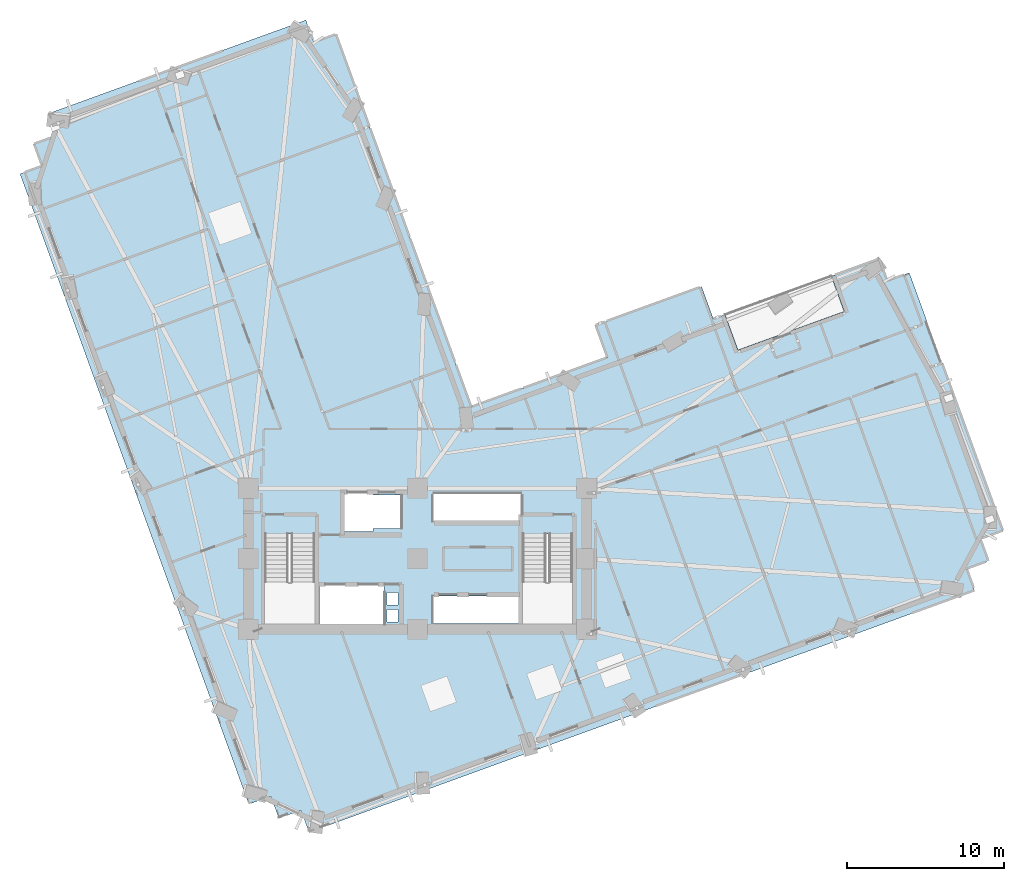
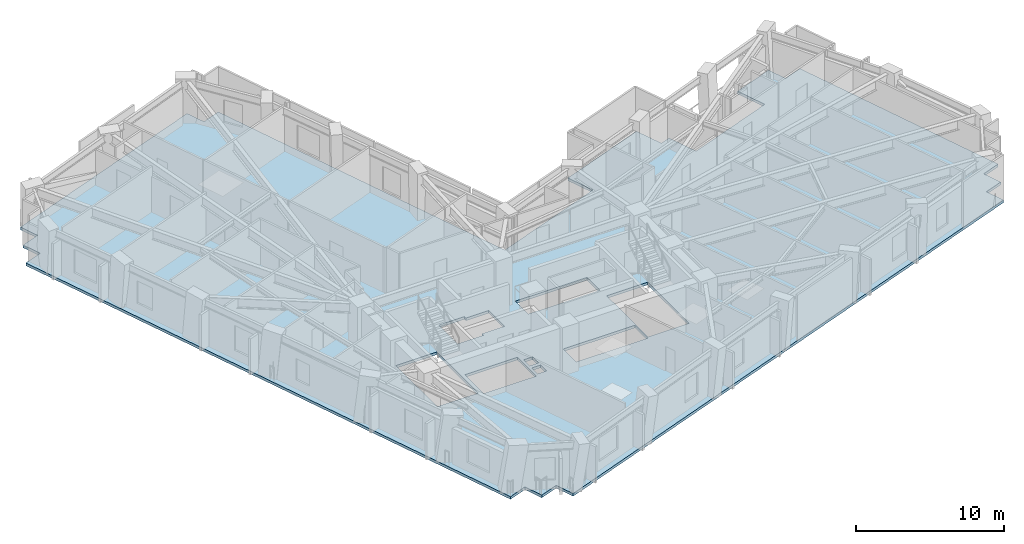
# One storey, part 4 of 17: 1 slab.
"""IFC4 building model written with IfcOpenShell, lengths in metres."""

import ifcopenshell
import ifcopenshell.guid

model = None  # the IFC model being written
_history = None  # IfcOwnerHistory: only IFC2X3 demands one
_inside = {}  # id of a spatial element -> (the spatial element, [elements in it])
_under = {}  # id of a project, library or spatial element -> (it, [spatial elements below it])
_declared = {}  # id of a project -> (the project, [libraries it declares])
_typed = {}  # id of a type object -> (the type object, [elements of that type])
_made_of = {}  # id of a material, layer set ... -> (it, [elements and type objects made of it])


def new_model(schema):
    """Start an empty IFC model of exactly this schema.

    Asked for "IFC4X3", IfcOpenShell would pick the latest addendum, in which some entities
    have other attributes; the version numbers below select the first issue.
    IFC2X3 requires an IfcOwnerHistory on every rooted entity: one is made here for all.
    """
    global model, _history
    if schema == "IFC4X3":
        model = ifcopenshell.file(schema_version=(4, 3, 0, 0))
    else:
        model = ifcopenshell.file(schema=schema)
    _inside.clear()
    _under.clear()
    _declared.clear()
    _typed.clear()
    _made_of.clear()
    _history = None
    if model.schema == "IFC2X3":
        org = make("IfcOrganization", Name="unknown")
        user = make(
            "IfcPersonAndOrganization",
            ThePerson=make("IfcPerson", FamilyName="unknown"),
            TheOrganization=org,
        )
        app = make(
            "IfcApplication",
            ApplicationDeveloper=org,
            Version="unknown",
            ApplicationFullName="unknown",
            ApplicationIdentifier="unknown",
        )
        _history = make(
            "IfcOwnerHistory",
            OwningUser=user,
            OwningApplication=app,
            ChangeAction="ADDED",
            CreationDate=0,
        )
    return model


def make(cls, **values):
    """One entity of the class cls with the attributes given. An attribute that is None is left unset."""
    return model.create_entity(
        cls, **{name: value for name, value in values.items() if value is not None}
    )


def rooted(cls, **values):
    """An entity with a GlobalId (a new one), such as an element, a storey or a relation."""
    return make(cls, GlobalId=ifcopenshell.guid.new(), OwnerHistory=_history, **values)


def si_unit(unit_type, name, prefix=None):
    """IfcSIUnit, for example si_unit("LENGTHUNIT", "METRE", prefix="MILLI")."""
    return make("IfcSIUnit", UnitType=unit_type, Prefix=prefix, Name=name)


def assignment(units):
    """IfcUnitAssignment: the units of a project."""
    return None if units is None else make("IfcUnitAssignment", Units=units)


def point(xyz):
    """IfcCartesianPoint."""
    return None if xyz is None else make("IfcCartesianPoint", Coordinates=xyz)


def direction(xyz):
    """IfcDirection."""
    return None if xyz is None else make("IfcDirection", DirectionRatios=xyz)


def frame(location, z_axis=None, x_axis=None):
    """IfcAxis2Placement3D, a coordinate frame: its origin and axes. An axis left out is left unset."""
    return make(
        "IfcAxis2Placement3D",
        Location=point(location),
        Axis=direction(z_axis),
        RefDirection=direction(x_axis),
    )


def origin():
    """The frame at (0, 0, 0) with its axes left unset."""
    return frame((0.0, 0.0, 0.0))


def place(relative_to, where):
    """IfcLocalPlacement: puts the frame where relative to a parent placement (None: the world)."""
    return make(
        "IfcLocalPlacement", PlacementRelTo=relative_to, RelativePlacement=where
    )


def context(
    kind, dimensions, precision=None, world=None, true_north=None, identifier=None
):
    """IfcGeometricRepresentationContext, for example the 3D "Model" context."""
    return make(
        "IfcGeometricRepresentationContext",
        ContextIdentifier=identifier,
        ContextType=kind,
        CoordinateSpaceDimension=dimensions,
        Precision=precision,
        WorldCoordinateSystem=world,
        TrueNorth=true_north,
    )


def subcontext(parent, identifier, kind, view, scale=None):
    """IfcGeometricRepresentationSubContext, for example "Body" below "Model"."""
    return make(
        "IfcGeometricRepresentationSubContext",
        ContextIdentifier=identifier,
        ContextType=kind,
        ParentContext=parent,
        TargetScale=scale,
        TargetView=view,
    )


def project(units=None, contexts=None):
    """IfcProject with its units and contexts."""
    return rooted(
        "IfcProject",
        Name="project",
        RepresentationContexts=contexts,
        UnitsInContext=assignment(units),
    )


def spatial(cls, under=None, at=None, **own):
    """A site, building, storey or space (cls), placed at a placement, below another one or the project."""
    s = rooted(cls, ObjectPlacement=at, **own)
    if under is not None:
        _under.setdefault(under.id(), (under, []))[1].append(s)
    return s


def polyline(points):
    """IfcPolyline through the points."""
    return make("IfcPolyline", Points=[point(p) for p in points])


def outline(outer, holes=None, kind="AREA"):
    """IfcArbitraryClosedProfileDef: a profile drawn as a closed curve; with holes, ...WithVoids."""
    if holes is None:
        return make("IfcArbitraryClosedProfileDef", ProfileType=kind, OuterCurve=outer)
    return make(
        "IfcArbitraryProfileDefWithVoids",
        ProfileType=kind,
        OuterCurve=outer,
        InnerCurves=holes,
    )


def extrude(swept, where, along, depth):
    """IfcExtrudedAreaSolid: the profile swept, set in the frame where, extruded along a direction by depth."""
    return make(
        "IfcExtrudedAreaSolid",
        SweptArea=swept,
        Position=where,
        ExtrudedDirection=direction(along),
        Depth=depth,
    )


def shape(context_of_items, identifier, shape_type, items):
    """IfcShapeRepresentation: the items that make up one representation, for example the "Body"."""
    return make(
        "IfcShapeRepresentation",
        ContextOfItems=context_of_items,
        RepresentationIdentifier=identifier,
        RepresentationType=shape_type,
        Items=items,
    )


def material(Name=None, Category=None):
    """IfcMaterial."""
    return make("IfcMaterial", Name=Name, Category=Category)


def layer(
    of_material, thickness, ventilated=None, Name=None, Category=None, Priority=None
):
    """IfcMaterialLayer: one layer of a wall or slab, of a material (None: an air gap)."""
    return make(
        "IfcMaterialLayer",
        Material=of_material,
        LayerThickness=thickness,
        IsVentilated=ventilated,
        Name=Name,
        Category=Category,
        Priority=Priority,
    )


def layer_set(layers, Name=None):
    """IfcMaterialLayerSet."""
    return make("IfcMaterialLayerSet", MaterialLayers=layers, LayerSetName=Name)


def made_of(thing, what):
    """Note that an element or type object is made of a material, layer set ...; save() writes the relation."""
    if what is not None:
        _made_of.setdefault(what.id(), (what, []))[1].append(thing)
    return thing


def type_object(cls, material=None, **own):
    """A type object (cls), such as IfcWallType, which elements share."""
    return made_of(rooted(cls, **own), material)


def element(
    cls,
    number,
    at=None,
    inside=None,
    cuts=None,
    type_object=None,
    material=None,
    context=None,
    identifier="Body",
    shape_type=None,
    held_by="IfcProductDefinitionShape",
    body=None,
    shapes=None,
    **own,
):
    """One element of the class cls, such as IfcWall. Its Tag is "e" and its number.

    at: its placement. inside: the storey or other place that contains it. cuts: it is an
    opening in that element (IfcRelVoidsElement). A single representation is given by context,
    identifier, shape_type and body (its items); several are given by shapes. held_by: the class
    of the entity that holds the representations. save() writes the other relations.
    """
    e = rooted(cls, Tag="e%d" % number, ObjectPlacement=at, **own)
    if body is not None:
        shapes = [shape(context, identifier, shape_type, body)]
    if shapes is not None:
        e.Representation = make(held_by, Representations=shapes)
    if inside is not None:
        _inside.setdefault(inside.id(), (inside, []))[1].append(e)
    if cuts is not None:
        rooted(
            "IfcRelVoidsElement", RelatingBuildingElement=cuts, RelatedOpeningElement=e
        )
    if type_object is not None:
        _typed.setdefault(type_object.id(), (type_object, []))[1].append(e)
    return made_of(e, material)


def aggregate(whole, parts):
    """IfcRelAggregates: a whole, such as a stair, and the parts it consists of."""
    return rooted("IfcRelAggregates", RelatingObject=whole, RelatedObjects=parts)


def save(model, path):
    """Write the relations noted so far, then the file.

    IfcRelAggregates (storeys below a building ...), IfcRelContainedInSpatialStructure (elements
    in a storey), IfcRelDefinesByType, IfcRelAssociatesMaterial and IfcRelDeclares: one each for
    every whole, place, type object, material and project.
    """
    for whole, parts in _under.values():
        aggregate(whole, parts)
    for where, things in _inside.values():
        rooted(
            "IfcRelContainedInSpatialStructure",
            RelatedElements=things,
            RelatingStructure=where,
        )
    for kind, things in _typed.values():
        rooted("IfcRelDefinesByType", RelatedObjects=things, RelatingType=kind)
    for what, things in _made_of.values():
        rooted("IfcRelAssociatesMaterial", RelatedObjects=things, RelatingMaterial=what)
    for by, libraries in _declared.values():
        rooted("IfcRelDeclares", RelatingContext=by, RelatedDefinitions=libraries)
    model.write(path)


model = new_model("IFC4")

# Units and contexts
model_context = context("Model", 3, precision=1e-05, world=origin(), true_north=direction((0.0, 1.0)))
body_context = subcontext(model_context, "Body", "Model", "MODEL_VIEW")
ifc_project = project(units=[si_unit("LENGTHUNIT", "METRE"), si_unit("AREAUNIT", "SQUARE_METRE"), si_unit("VOLUMEUNIT", "CUBIC_METRE"), si_unit("PLANEANGLEUNIT", "RADIAN"), si_unit("MASSUNIT", "GRAM", prefix="KILO")], contexts=[model_context])

# Site, building, storey
site_placement = place(None, origin())
site = spatial("IfcSite", under=ifc_project, at=site_placement, CompositionType="ELEMENT")
building_placement = place(site_placement, origin())
building = spatial("IfcBuilding", under=site, at=building_placement, Name="Gaonmaruhae Medical Tower", CompositionType="ELEMENT")
storey_placement = place(building_placement, frame((0.0, 0.0, 108.39990234375)))
storey = spatial("IfcBuildingStorey", under=building, at=storey_placement, Name="L25", CompositionType="ELEMENT", Elevation=108.39990234375)

# Slab
ifc_material = material(Name="Concrete C40/50", Category="concrete")
ifc_layer = layer(ifc_material, 0.219970703125)
ifc_layer_set = layer_set([ifc_layer], Name="Concrete C40/50")
slab_type = type_object("IfcSlabType", Name="FS-220 Clinical Ward Composite Floor Slab", PredefinedType="FLOOR", material=ifc_layer_set)
slab_placement = place(storey_placement, frame((0.0, 0.0, -0.219970703125)))
element("IfcSlab", 1, at=slab_placement, inside=storey, type_object=slab_type, Name="L25 Structural Slab 1", PredefinedType="FLOOR", context=body_context, shape_type="SweptSolid", body=[
    extrude(outline(polyline([(54.78271484375, 30.0419921875), (56.1923828125, 30.553955078125), (62.16357421875, 14.10400390625), (60.753662109375, 13.59228515625), (61.265380859375, 12.18212890625), (59.85546875, 11.67041015625), (60.3671875, 10.260498046875), (17.879638671875, -5.161865234375), (17.367919921875, -3.751708984375), (15.957763671875, -4.263671875), (15.446044921875, -2.853515625), (14.035888671875, -3.365478515625), (-0.5673828125, 36.8662109375), (0.842529296875, 37.3779296875), (0.330810546875, 38.7880859375), (1.74072265625, 39.2998046875), (1.22900390625, 40.709716796875), (17.678955078125, 46.680908203125), (18.190673828125, 45.270751953125), (19.6005859375, 45.78271484375), (28.23291015625, 22.000732421875), (36.91748046875, 25.1533203125), (36.1669921875, 27.22119140625), (42.934814453125, 29.677734375), (43.685546875, 27.60986328125), (44.4375, 27.8828125), (45.25634765625, 25.626708984375), (52.0244140625, 28.08349609375), (51.205322265625, 30.33935546875), (54.270751953125, 31.451904296875), (54.78271484375, 30.0419921875)]), holes=[polyline([(23.550048828125, 8.25), (22.85009765625, 8.25), (22.85009765625, 9.050048828125), (23.550048828125, 9.050048828125), (23.550048828125, 8.25)]), polyline([(25.824951171875, 9.925048828125), (31.425048828125, 9.925048828125), (31.425048828125, 8.175048828125), (25.824951171875, 8.175048828125), (25.824951171875, 9.925048828125)]), polyline([(22.64990234375, 10.625), (22.64990234375, 8.074951171875), (18.550048828125, 8.074951171875), (18.550048828125, 10.625), (22.64990234375, 10.625)]), polyline([(23.550048828125, 9.35009765625), (22.85009765625, 9.35009765625), (22.85009765625, 10.14990234375), (23.550048828125, 10.14990234375), (23.550048828125, 9.35009765625)]), polyline([(15.050048828125, 13.889892578125), (18.25, 13.889892578125), (18.25, 8.300048828125), (15.050048828125, 8.300048828125), (15.050048828125, 13.889892578125)]), polyline([(31.5, 13.889892578125), (34.699951171875, 13.889892578125), (34.699951171875, 8.300048828125), (31.5, 8.300048828125), (31.5, 13.889892578125)]), polyline([(21.949951171875, 14.22509765625), (21.949951171875, 14.02490234375), (19.949951171875, 14.02490234375), (19.949951171875, 16.574951171875), (21.949951171875, 16.574951171875), (21.949951171875, 16.375), (23.72509765625, 16.375), (23.72509765625, 14.22509765625), (21.949951171875, 14.22509765625)]), polyline([(25.824951171875, 16.425048828125), (31.425048828125, 16.425048828125), (31.425048828125, 14.675048828125), (25.824951171875, 14.675048828125), (25.824951171875, 16.425048828125)])]), origin(), (0.0, 0.0, 1.0), 0.219970703125),
])

save(model, "model.ifc")
